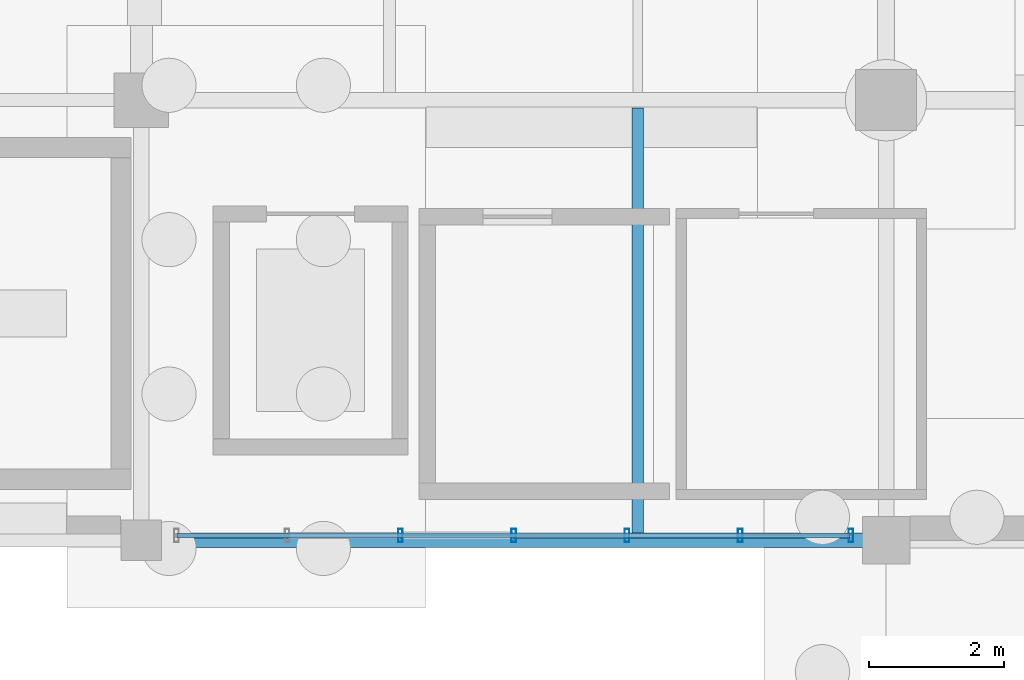
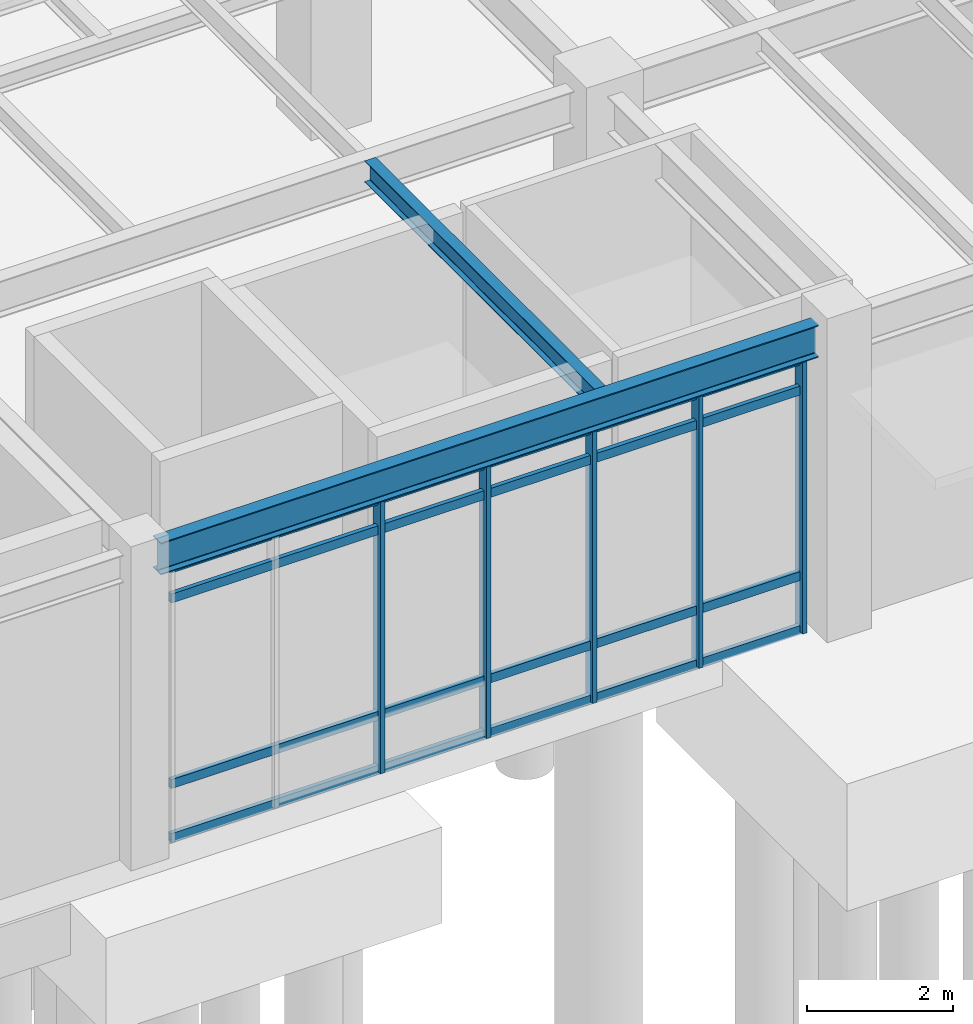
# One storey, part 29 of 203: 9 members, 2 beams, 1 element without a shape of its own.
"""IFC4 building model written with IfcOpenShell, lengths in metres."""

from ifc_helpers import new_model, si_unit, direction, frame, origin, origin_2d, place, context, subcontext, project, spatial, hollow_rectangle, i_section, extrude, material, material_profile, profile_set, type_object, element, aggregate, save


model = new_model("IFC4")

# Units and contexts
model_context = context("Model", 3, precision=1e-05, world=origin(), true_north=direction((0.0, 1.0)))
body_context = subcontext(model_context, "Body", "Model", "MODEL_VIEW")
ifc_project = project(units=[si_unit("LENGTHUNIT", "METRE"), si_unit("AREAUNIT", "SQUARE_METRE"), si_unit("VOLUMEUNIT", "CUBIC_METRE"), si_unit("PLANEANGLEUNIT", "RADIAN"), si_unit("MASSUNIT", "GRAM", prefix="KILO"), si_unit("THERMODYNAMICTEMPERATUREUNIT", "KELVIN"), si_unit("POWERUNIT", "WATT")], contexts=[model_context])

# Site, building, storey
site_placement = place(None, origin())
site = spatial("IfcSite", under=ifc_project, at=site_placement, CompositionType="ELEMENT")
building_placement = place(site_placement, origin())
building = spatial("IfcBuilding", under=site, at=building_placement, Name="Tepalcoro Natatorium and Aquatics Centre", CompositionType="ELEMENT")
storey_placement = place(building_placement, origin())
storey = spatial("IfcBuildingStorey", under=building, at=storey_placement, Name="L00", CompositionType="ELEMENT", Elevation=0.0)

# Curtain wall, members
ifc_material_1 = material(Name="Bronze-Anodised Extruded Aluminium Alloy EN AW-6063 T6", Category="aluminium")
curtain_wall_type = type_object("IfcCurtainWallType", Name="CW_V3_FOYER", PredefinedType="USERDEFINED", material=ifc_material_1)
curtain_wall_placement = place(storey_placement, origin())
curtain_wall = element("IfcCurtainWall", 1, at=curtain_wall_placement, inside=storey, type_object=curtain_wall_type, Name="V3 L00 S Unitised Curtain Wall Bay 2", ObjectType="UNITISED STOREFRONT", PredefinedType="USERDEFINED")
ifc_material_profile_1 = material_profile(ifc_material_1, hollow_rectangle(XDim=0.070068359375, YDim=0.199951171875, WallThickness=0.0048828125, at=origin_2d()), Name="AL70X200X5")
ifc_profile_set_1 = profile_set([ifc_material_profile_1], Name="Bronze-Anodised Extruded Aluminium Alloy EN AW-6063 T6")
member_type_1 = type_object("IfcMemberType", Name="CW_MUL_70x200", PredefinedType="MULLION", material=ifc_profile_set_1)
member_1_placement = place(storey_placement, frame((13.82666015625, 6.5712890625, 0.02001953125), z_axis=(0.0, 0.0, 1.0), x_axis=(1.0, 0.0, 0.0)))
member_1 = element("IfcMember", 2, at=member_1_placement, type_object=member_type_1, Name="CW_V3_FOYER Curtain Wall Mullion", PredefinedType="MULLION", context=body_context, shape_type="SweptSolid", body=[
    extrude(hollow_rectangle(XDim=0.070068359375, YDim=0.199951171875, WallThickness=0.0048828125, at=origin_2d()), origin(), (0.0, 0.0, 1.0), 4.553955078125),
])
member_2_placement = place(storey_placement, frame((15.5, 6.5712890625, 0.02001953125), z_axis=(0.0, 0.0, 1.0), x_axis=(1.0, 0.0, 0.0)))
member_2 = element("IfcMember", 3, at=member_2_placement, type_object=member_type_1, Name="CW_V3_FOYER Curtain Wall Mullion", PredefinedType="MULLION", context=body_context, shape_type="SweptSolid", body=[
    extrude(hollow_rectangle(XDim=0.070068359375, YDim=0.199951171875, WallThickness=0.0048828125, at=origin_2d()), origin(), (0.0, 0.0, 1.0), 4.553955078125),
])
member_3_placement = place(storey_placement, frame((17.17333984375, 6.5712890625, 0.02001953125), z_axis=(0.0, 0.0, 1.0), x_axis=(1.0, 0.0, 0.0)))
member_3 = element("IfcMember", 4, at=member_3_placement, type_object=member_type_1, Name="CW_V3_FOYER Curtain Wall Mullion", PredefinedType="MULLION", context=body_context, shape_type="SweptSolid", body=[
    extrude(hollow_rectangle(XDim=0.070068359375, YDim=0.199951171875, WallThickness=0.0048828125, at=origin_2d()), origin(), (0.0, 0.0, 1.0), 4.553955078125),
])
member_4_placement = place(storey_placement, frame((18.8466796875, 6.5712890625, 0.02001953125), z_axis=(0.0, 0.0, 1.0), x_axis=(1.0, 0.0, 0.0)))
member_4 = element("IfcMember", 5, at=member_4_placement, type_object=member_type_1, Name="CW_V3_FOYER Curtain Wall Mullion", PredefinedType="MULLION", context=body_context, shape_type="SweptSolid", body=[
    extrude(hollow_rectangle(XDim=0.070068359375, YDim=0.199951171875, WallThickness=0.0048828125, at=origin_2d()), origin(), (0.0, 0.0, 1.0), 4.553955078125),
])
member_5_placement = place(storey_placement, frame((20.47998046875, 6.5712890625, 0.02001953125), z_axis=(0.0, 0.0, 1.0), x_axis=(1.0, 0.0, 0.0)))
member_5 = element("IfcMember", 6, at=member_5_placement, type_object=member_type_1, Name="CW_V3_FOYER Curtain Wall Mullion", PredefinedType="MULLION", context=body_context, shape_type="SweptSolid", body=[
    extrude(hollow_rectangle(XDim=0.070068359375, YDim=0.199951171875, WallThickness=0.0048828125, at=origin_2d()), origin(), (0.0, 0.0, 1.0), 4.553955078125),
])
ifc_material_profile_2 = material_profile(ifc_material_1, hollow_rectangle(XDim=0.070068359375, YDim=0.14990234375, WallThickness=0.00390625, at=origin_2d()), Name="AL70X150X4")
ifc_profile_set_2 = profile_set([ifc_material_profile_2], Name="Bronze-Anodised Extruded Aluminium Alloy EN AW-6063 T6")
member_type_2 = type_object("IfcMemberType", Name="CW_TRN_70x150", PredefinedType="USERDEFINED", material=ifc_profile_set_2)
member_6_placement = place(storey_placement, frame((10.530029296875, 6.5712890625, 0.050048828125), z_axis=(1.0, 0.0, 0.0), x_axis=(0.0, 1.0, 0.0)))
member_6 = element("IfcMember", 7, at=member_6_placement, type_object=member_type_2, Name="CW_V3_FOYER Curtain Wall Transom", ObjectType="TRANSOM", PredefinedType="USERDEFINED", context=body_context, shape_type="SweptSolid", body=[
    extrude(hollow_rectangle(XDim=0.070068359375, YDim=0.14990234375, WallThickness=0.00390625, at=origin_2d()), origin(), (0.0, 0.0, 1.0), 9.93994140625),
])
member_7_placement = place(storey_placement, frame((10.530029296875, 6.5712890625, 0.949951171875), z_axis=(1.0, 0.0, 0.0), x_axis=(0.0, 1.0, 0.0)))
member_7 = element("IfcMember", 8, at=member_7_placement, type_object=member_type_2, Name="CW_V3_FOYER Curtain Wall Transom", ObjectType="TRANSOM", PredefinedType="USERDEFINED", context=body_context, shape_type="SweptSolid", body=[
    extrude(hollow_rectangle(XDim=0.070068359375, YDim=0.14990234375, WallThickness=0.00390625, at=origin_2d()), origin(), (0.0, 0.0, 1.0), 9.93994140625),
])
member_8_placement = place(storey_placement, frame((10.530029296875, 6.5712890625, 4.0439453125), z_axis=(1.0, 0.0, 0.0), x_axis=(0.0, 1.0, 0.0)))
member_8 = element("IfcMember", 9, at=member_8_placement, type_object=member_type_2, Name="CW_V3_FOYER Curtain Wall Transom", ObjectType="TRANSOM", PredefinedType="USERDEFINED", context=body_context, shape_type="SweptSolid", body=[
    extrude(hollow_rectangle(XDim=0.070068359375, YDim=0.14990234375, WallThickness=0.00390625, at=origin_2d()), origin(), (0.0, 0.0, 1.0), 9.93994140625),
])
member_9_placement = place(storey_placement, frame((10.530029296875, 6.5712890625, 4.5439453125), z_axis=(1.0, 0.0, 0.0), x_axis=(0.0, 1.0, 0.0)))
member_9 = element("IfcMember", 10, at=member_9_placement, type_object=member_type_2, Name="CW_V3_FOYER Curtain Wall Transom", ObjectType="TRANSOM", PredefinedType="USERDEFINED", context=body_context, shape_type="SweptSolid", body=[
    extrude(hollow_rectangle(XDim=0.070068359375, YDim=0.14990234375, WallThickness=0.00390625, at=origin_2d()), origin(), (0.0, 0.0, 1.0), 9.93994140625),
])
aggregate(curtain_wall, [member_1, member_2, member_3, member_4, member_5, member_6, member_7, member_8, member_9])

# Beams
ifc_material_2 = material(Name="Steel ASTM A992 Grade 50 (Fy 345 MPa)", Category="steel")
ifc_material_profile_3 = material_profile(ifc_material_2, i_section(OverallWidth=0.172119140625, OverallDepth=0.35791015625, WebThickness=0.008056640625, FlangeThickness=0.012939453125, FilletRadius=0.013916015625, at=origin_2d()), Name="W14X38")
ifc_profile_set_3 = profile_set([ifc_material_profile_3], Name="Steel ASTM A992 Grade 50 (Fy 345 MPa)")
beam_type_1 = type_object("IfcBeamType", Name="JS_W14x38", PredefinedType="JOIST", material=ifc_profile_set_3)
beam_1_placement = place(storey_placement, frame((17.333251953125, 6.60498046875, 4.966064453125), z_axis=(0.0, 1.0, 0.0), x_axis=(-1.0, 0.0, 0.0)))
element("IfcBeam", 11, at=beam_1_placement, inside=storey, type_object=beam_type_1, Name="V3 L00 Floor Joist", PredefinedType="JOIST", context=body_context, shape_type="SweptSolid", body=[
    extrude(i_section(OverallWidth=0.172119140625, OverallDepth=0.35791015625, WebThickness=0.008056640625, FlangeThickness=0.012939453125, FilletRadius=0.013916015625, at=origin_2d()), origin(), (0.0, 0.0, 1.0), 6.281005859375),
])
ifc_material_profile_4 = material_profile(ifc_material_2, i_section(OverallWidth=0.2099609375, OverallDepth=0.535888671875, WebThickness=0.010986328125, FlangeThickness=0.01708984375, FilletRadius=0.013916015625, at=origin_2d()), Name="W21X68")
ifc_profile_set_4 = profile_set([ifc_material_profile_4], Name="Steel ASTM A992 Grade 50 (Fy 345 MPa)")
beam_type_2 = type_object("IfcBeamType", Name="SP_W21x68", PredefinedType="SPANDREL", material=ifc_profile_set_4)
beam_2_placement = place(storey_placement, frame((10.284912109375, 6.5, 4.876953125), z_axis=(1.0, 0.0, 0.0), x_axis=(0.0, 1.0, 0.0)))
element("IfcBeam", 12, at=beam_2_placement, inside=storey, type_object=beam_type_2, Name="V3 L00 Grid Girder X", PredefinedType="SPANDREL", context=body_context, shape_type="SweptSolid", body=[
    extrude(i_section(OverallWidth=0.2099609375, OverallDepth=0.535888671875, WebThickness=0.010986328125, FlangeThickness=0.01708984375, FilletRadius=0.013916015625, at=origin_2d()), origin(), (0.0, 0.0, 1.0), 10.380126953125),
])

save(model, "model.ifc")
